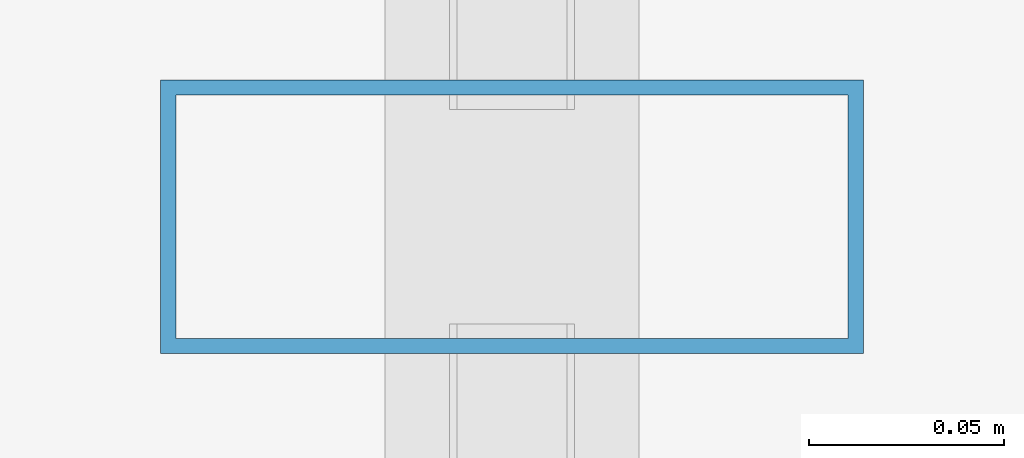
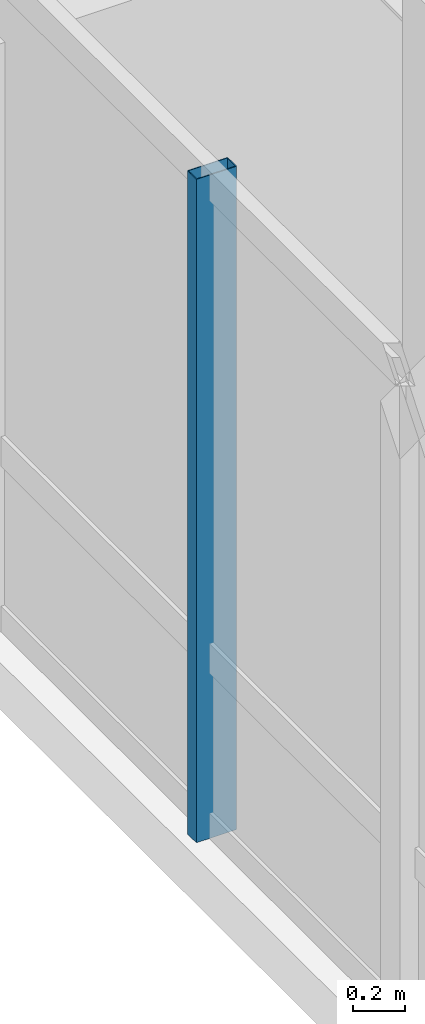
# One storey, part 12 of 33: 1 member, 1 element without a shape of its own.
"""IFC4 building model written with IfcOpenShell, lengths in metres."""

import ifcopenshell
import ifcopenshell.guid

model = None  # the IFC model being written
_history = None  # IfcOwnerHistory: only IFC2X3 demands one
_inside = {}  # id of a spatial element -> (the spatial element, [elements in it])
_under = {}  # id of a project, library or spatial element -> (it, [spatial elements below it])
_declared = {}  # id of a project -> (the project, [libraries it declares])
_typed = {}  # id of a type object -> (the type object, [elements of that type])
_made_of = {}  # id of a material, layer set ... -> (it, [elements and type objects made of it])


def new_model(schema):
    """Start an empty IFC model of exactly this schema.

    Asked for "IFC4X3", IfcOpenShell would pick the latest addendum, in which some entities
    have other attributes; the version numbers below select the first issue.
    IFC2X3 requires an IfcOwnerHistory on every rooted entity: one is made here for all.
    """
    global model, _history
    if schema == "IFC4X3":
        model = ifcopenshell.file(schema_version=(4, 3, 0, 0))
    else:
        model = ifcopenshell.file(schema=schema)
    _inside.clear()
    _under.clear()
    _declared.clear()
    _typed.clear()
    _made_of.clear()
    _history = None
    if model.schema == "IFC2X3":
        org = make("IfcOrganization", Name="unknown")
        user = make(
            "IfcPersonAndOrganization",
            ThePerson=make("IfcPerson", FamilyName="unknown"),
            TheOrganization=org,
        )
        app = make(
            "IfcApplication",
            ApplicationDeveloper=org,
            Version="unknown",
            ApplicationFullName="unknown",
            ApplicationIdentifier="unknown",
        )
        _history = make(
            "IfcOwnerHistory",
            OwningUser=user,
            OwningApplication=app,
            ChangeAction="ADDED",
            CreationDate=0,
        )
    return model


def make(cls, **values):
    """One entity of the class cls with the attributes given. An attribute that is None is left unset."""
    return model.create_entity(
        cls, **{name: value for name, value in values.items() if value is not None}
    )


def rooted(cls, **values):
    """An entity with a GlobalId (a new one), such as an element, a storey or a relation."""
    return make(cls, GlobalId=ifcopenshell.guid.new(), OwnerHistory=_history, **values)


def si_unit(unit_type, name, prefix=None):
    """IfcSIUnit, for example si_unit("LENGTHUNIT", "METRE", prefix="MILLI")."""
    return make("IfcSIUnit", UnitType=unit_type, Prefix=prefix, Name=name)


def assignment(units):
    """IfcUnitAssignment: the units of a project."""
    return None if units is None else make("IfcUnitAssignment", Units=units)


def point(xyz):
    """IfcCartesianPoint."""
    return None if xyz is None else make("IfcCartesianPoint", Coordinates=xyz)


def direction(xyz):
    """IfcDirection."""
    return None if xyz is None else make("IfcDirection", DirectionRatios=xyz)


def frame(location, z_axis=None, x_axis=None):
    """IfcAxis2Placement3D, a coordinate frame: its origin and axes. An axis left out is left unset."""
    return make(
        "IfcAxis2Placement3D",
        Location=point(location),
        Axis=direction(z_axis),
        RefDirection=direction(x_axis),
    )


def frame_2d(location, x_axis=None):
    """IfcAxis2Placement2D, a coordinate frame in the plane: its origin and x axis."""
    return make(
        "IfcAxis2Placement2D", Location=point(location), RefDirection=direction(x_axis)
    )


def origin():
    """The frame at (0, 0, 0) with its axes left unset."""
    return frame((0.0, 0.0, 0.0))


def origin_2d():
    """The frame at (0, 0) in the plane with its x axis left unset."""
    return frame_2d((0.0, 0.0))


def place(relative_to, where):
    """IfcLocalPlacement: puts the frame where relative to a parent placement (None: the world)."""
    return make(
        "IfcLocalPlacement", PlacementRelTo=relative_to, RelativePlacement=where
    )


def context(
    kind, dimensions, precision=None, world=None, true_north=None, identifier=None
):
    """IfcGeometricRepresentationContext, for example the 3D "Model" context."""
    return make(
        "IfcGeometricRepresentationContext",
        ContextIdentifier=identifier,
        ContextType=kind,
        CoordinateSpaceDimension=dimensions,
        Precision=precision,
        WorldCoordinateSystem=world,
        TrueNorth=true_north,
    )


def subcontext(parent, identifier, kind, view, scale=None):
    """IfcGeometricRepresentationSubContext, for example "Body" below "Model"."""
    return make(
        "IfcGeometricRepresentationSubContext",
        ContextIdentifier=identifier,
        ContextType=kind,
        ParentContext=parent,
        TargetScale=scale,
        TargetView=view,
    )


def project(units=None, contexts=None):
    """IfcProject with its units and contexts."""
    return rooted(
        "IfcProject",
        Name="project",
        RepresentationContexts=contexts,
        UnitsInContext=assignment(units),
    )


def spatial(cls, under=None, at=None, **own):
    """A site, building, storey or space (cls), placed at a placement, below another one or the project."""
    s = rooted(cls, ObjectPlacement=at, **own)
    if under is not None:
        _under.setdefault(under.id(), (under, []))[1].append(s)
    return s


def profile(cls, at=None, kind="AREA", **sizes):
    """A parametric profile (cls). Its sizes go by their IFC names, for example OverallWidth=200.0."""
    return make(cls, ProfileType=kind, Position=at, **sizes)


def hollow_rectangle(**sizes):
    """IfcRectangleHollowProfileDef."""
    return profile("IfcRectangleHollowProfileDef", **sizes)


def extrude(swept, where, along, depth):
    """IfcExtrudedAreaSolid: the profile swept, set in the frame where, extruded along a direction by depth."""
    return make(
        "IfcExtrudedAreaSolid",
        SweptArea=swept,
        Position=where,
        ExtrudedDirection=direction(along),
        Depth=depth,
    )


def shape(context_of_items, identifier, shape_type, items):
    """IfcShapeRepresentation: the items that make up one representation, for example the "Body"."""
    return make(
        "IfcShapeRepresentation",
        ContextOfItems=context_of_items,
        RepresentationIdentifier=identifier,
        RepresentationType=shape_type,
        Items=items,
    )


def material(Name=None, Category=None):
    """IfcMaterial."""
    return make("IfcMaterial", Name=Name, Category=Category)


def layer(
    of_material, thickness, ventilated=None, Name=None, Category=None, Priority=None
):
    """IfcMaterialLayer: one layer of a wall or slab, of a material (None: an air gap)."""
    return make(
        "IfcMaterialLayer",
        Material=of_material,
        LayerThickness=thickness,
        IsVentilated=ventilated,
        Name=Name,
        Category=Category,
        Priority=Priority,
    )


def layer_set(layers, Name=None):
    """IfcMaterialLayerSet."""
    return make("IfcMaterialLayerSet", MaterialLayers=layers, LayerSetName=Name)


def material_profile(
    of_material, cross_section, Name=None, Category=None, Priority=None
):
    """IfcMaterialProfile: a cross section and its material."""
    return make(
        "IfcMaterialProfile",
        Name=Name,
        Material=of_material,
        Profile=cross_section,
        Priority=Priority,
        Category=Category,
    )


def profile_set(profiles, Name=None, composite=None):
    """IfcMaterialProfileSet."""
    return make(
        "IfcMaterialProfileSet",
        Name=Name,
        MaterialProfiles=profiles,
        CompositeProfile=composite,
    )


def made_of(thing, what):
    """Note that an element or type object is made of a material, layer set ...; save() writes the relation."""
    if what is not None:
        _made_of.setdefault(what.id(), (what, []))[1].append(thing)
    return thing


def type_object(cls, material=None, **own):
    """A type object (cls), such as IfcWallType, which elements share."""
    return made_of(rooted(cls, **own), material)


def element(
    cls,
    number,
    at=None,
    inside=None,
    cuts=None,
    type_object=None,
    material=None,
    context=None,
    identifier="Body",
    shape_type=None,
    held_by="IfcProductDefinitionShape",
    body=None,
    shapes=None,
    **own,
):
    """One element of the class cls, such as IfcWall. Its Tag is "e" and its number.

    at: its placement. inside: the storey or other place that contains it. cuts: it is an
    opening in that element (IfcRelVoidsElement). A single representation is given by context,
    identifier, shape_type and body (its items); several are given by shapes. held_by: the class
    of the entity that holds the representations. save() writes the other relations.
    """
    e = rooted(cls, Tag="e%d" % number, ObjectPlacement=at, **own)
    if body is not None:
        shapes = [shape(context, identifier, shape_type, body)]
    if shapes is not None:
        e.Representation = make(held_by, Representations=shapes)
    if inside is not None:
        _inside.setdefault(inside.id(), (inside, []))[1].append(e)
    if cuts is not None:
        rooted(
            "IfcRelVoidsElement", RelatingBuildingElement=cuts, RelatedOpeningElement=e
        )
    if type_object is not None:
        _typed.setdefault(type_object.id(), (type_object, []))[1].append(e)
    return made_of(e, material)


def aggregate(whole, parts):
    """IfcRelAggregates: a whole, such as a stair, and the parts it consists of."""
    return rooted("IfcRelAggregates", RelatingObject=whole, RelatedObjects=parts)


def save(model, path):
    """Write the relations noted so far, then the file.

    IfcRelAggregates (storeys below a building ...), IfcRelContainedInSpatialStructure (elements
    in a storey), IfcRelDefinesByType, IfcRelAssociatesMaterial and IfcRelDeclares: one each for
    every whole, place, type object, material and project.
    """
    for whole, parts in _under.values():
        aggregate(whole, parts)
    for where, things in _inside.values():
        rooted(
            "IfcRelContainedInSpatialStructure",
            RelatedElements=things,
            RelatingStructure=where,
        )
    for kind, things in _typed.values():
        rooted("IfcRelDefinesByType", RelatedObjects=things, RelatingType=kind)
    for what, things in _made_of.values():
        rooted("IfcRelAssociatesMaterial", RelatedObjects=things, RelatingMaterial=what)
    for by, libraries in _declared.values():
        rooted("IfcRelDeclares", RelatingContext=by, RelatedDefinitions=libraries)
    model.write(path)


model = new_model("IFC4")

# Units and contexts
model_context = context("Model", 3, precision=1e-05, world=origin(), true_north=direction((0.0, 1.0)))
body_context = subcontext(model_context, "Body", "Model", "MODEL_VIEW")
ifc_project = project(units=[si_unit("LENGTHUNIT", "METRE"), si_unit("AREAUNIT", "SQUARE_METRE"), si_unit("VOLUMEUNIT", "CUBIC_METRE"), si_unit("PLANEANGLEUNIT", "RADIAN"), si_unit("MASSUNIT", "GRAM", prefix="KILO")], contexts=[model_context])

# Site, building, storey
site_placement = place(None, origin())
site = spatial("IfcSite", under=ifc_project, at=site_placement, CompositionType="ELEMENT")
building_placement = place(site_placement, origin())
building = spatial("IfcBuilding", under=site, at=building_placement, Name="Hatsunagi Terrace Concourse", CompositionType="ELEMENT")
storey_placement = place(building_placement, frame((0.0, 0.0, 56.699951171875)))
storey = spatial("IfcBuildingStorey", under=building, at=storey_placement, Name="L14", CompositionType="ELEMENT", Elevation=56.699951171875)

# Curtain wall, member
ifc_material_1 = material(Name="Anodised Aluminium Alloy 6063-T5", Category="aluminium")
ifc_layer = layer(ifc_material_1, 0.199951171875)
ifc_layer_set = layer_set([ifc_layer], Name="HotelFacade_CW02")
curtain_wall_type = type_object("IfcCurtainWallType", Name="HotelFacade_CW02", PredefinedType="NOTDEFINED", material=ifc_layer_set)
curtain_wall_placement = place(storey_placement, origin())
curtain_wall = element("IfcCurtainWall", 1, at=curtain_wall_placement, inside=storey, type_object=curtain_wall_type, Name="Unitised Curtain Wall CW-02 CW-L14-09", PredefinedType="NOTDEFINED")
ifc_material_2 = material(Name="Anodised Aluminium Alloy 6063-T5", Category="aluminium")
ifc_material_profile = material_profile(ifc_material_2, hollow_rectangle(XDim=0.070068359375, YDim=0.179931640625, WallThickness=0.00390625, at=origin_2d()), Name="ALU-MUL-180x70x4")
ifc_profile_set = profile_set([ifc_material_profile], Name="Anodised Aluminium Alloy 6063-T5")
member_type = type_object("IfcMemberType", Name="CurtainWallMullion_180x70", PredefinedType="MULLION", material=ifc_profile_set)
member_placement = place(storey_placement, frame((0.139892578125, 36.89990234375, 0.0), z_axis=(0.0, 0.0, 1.0), x_axis=(0.0, 1.0, 0.0)))
member = element("IfcMember", 2, at=member_placement, type_object=member_type, Name="Curtain Wall Mullion MUL-02", PredefinedType="MULLION", context=body_context, shape_type="SweptSolid", body=[
    extrude(hollow_rectangle(XDim=0.070068359375, YDim=0.179931640625, WallThickness=0.00390625, at=origin_2d()), origin(), (0.0, 0.0, 1.0), 3.130126953125),
])
aggregate(curtain_wall, [member])

save(model, "model.ifc")
